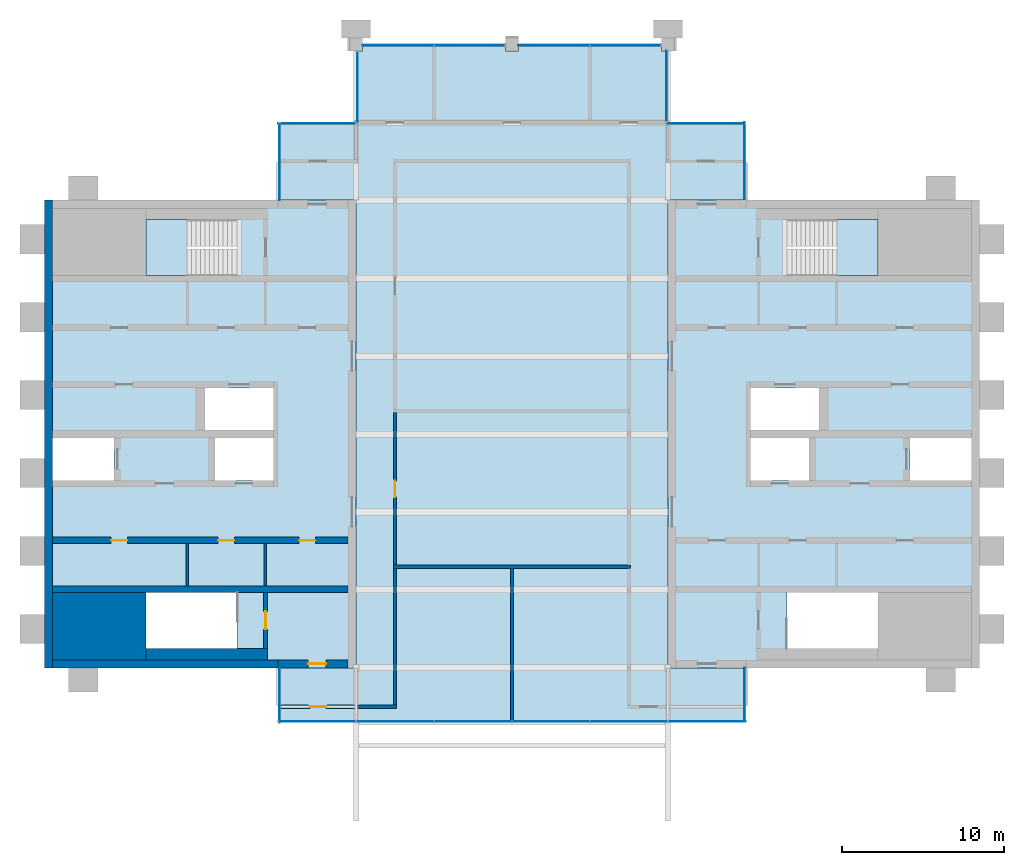
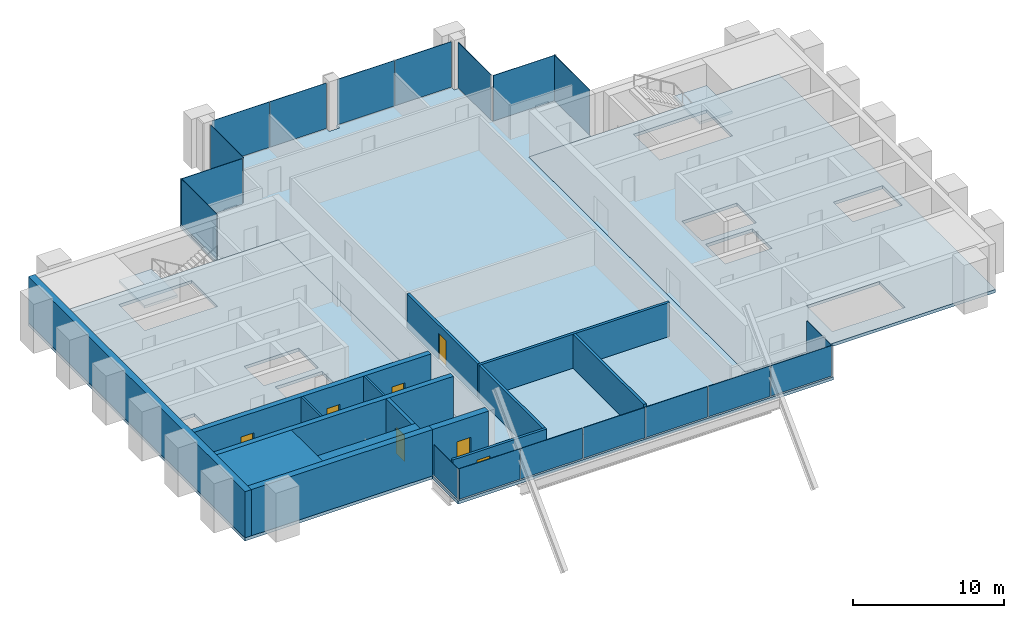
# One storey, part 7 of 11: 18 plates, 15 walls, 7 doors, 5 slabs, 7 openings, 13 elements without a shape of their own.
"""IFC4 building model written with IfcOpenShell, lengths in metres."""

from ifc_helpers import new_model, si_unit, direction, frame, frame_2d, origin, origin_2d, place, context, subcontext, project, spatial, polyline, rectangle, outline, extrude, material, layer, layer_set, type_object, element, fill, aggregate, save


model = new_model("IFC4")

# Units and contexts
model_context = context("Model", 3, precision=1e-05, world=origin(), true_north=direction((0.0, 1.0)))
body_context = subcontext(model_context, "Body", "Model", "MODEL_VIEW")
ifc_project = project(units=[si_unit("LENGTHUNIT", "METRE"), si_unit("AREAUNIT", "SQUARE_METRE"), si_unit("VOLUMEUNIT", "CUBIC_METRE"), si_unit("PLANEANGLEUNIT", "RADIAN"), si_unit("MASSUNIT", "GRAM", prefix="KILO")], contexts=[model_context])

# Site, building, storey
site_placement = place(None, origin())
site = spatial("IfcSite", under=ifc_project, at=site_placement, CompositionType="ELEMENT")
building_placement = place(site_placement, origin())
building = spatial("IfcBuilding", under=site, at=building_placement, Name="Baori Bourse Tower", CompositionType="ELEMENT")
storey_placement = place(building_placement, frame((0.0, 0.0, 366.300048828125)))
storey = spatial("IfcBuildingStorey", under=building, at=storey_placement, Name="L82", CompositionType="ELEMENT", Elevation=366.300048828125)

# Curtain wall, plate
ifc_material_1 = material(Name="Pale anodised aluminium", Category="aluminium")
curtain_wall_type = type_object("IfcCurtainWallType", Name="CW3 Curtain wall", PredefinedType="NOTDEFINED", material=ifc_material_1)
curtain_wall_1_placement = place(storey_placement, origin())
curtain_wall_1 = element("IfcCurtainWall", 1, at=curtain_wall_1_placement, inside=storey, type_object=curtain_wall_type, Name="Curtain wall CW3 L82 1", PredefinedType="NOTDEFINED")
ifc_material_2 = material(Name="Pale anodised aluminium", Category="aluminium")
ifc_layer_1 = layer(ifc_material_2, 0.0400390625)
ifc_layer_set_1 = layer_set([ifc_layer_1], Name="CW3 Curtain wall panel")
plate_type = type_object("IfcPlateType", Name="CW3 Curtain wall panel", PredefinedType="CURTAIN_PANEL", material=ifc_layer_set_1)
plate_1_placement = place(storey_placement, frame((43.1201171875, 7.93603515625, 0.06005859375), z_axis=(0.0, 0.0, 1.0), x_axis=(0.0, 1.0, 0.0)))
plate_1 = element("IfcPlate", 2, at=plate_1_placement, type_object=plate_type, Name="Curtain wall CW3 louvre panel", PredefinedType="CURTAIN_PANEL", context=body_context, shape_type="SweptSolid", body=[
    extrude(rectangle(XDim=3.327880859375, YDim=0.0400390625, at=origin_2d()), origin(), (0.0, 0.0, 1.0), 2.469970703125),
])
aggregate(curtain_wall_1, [plate_1])

curtain_wall_2_placement = place(storey_placement, origin())
curtain_wall_2 = element("IfcCurtainWall", 3, at=curtain_wall_2_placement, inside=storey, type_object=curtain_wall_type, Name="Curtain wall CW3 L82 2", PredefinedType="NOTDEFINED")
plate_2_placement = place(storey_placement, frame((43.1201171875, 40.824951171875, 0.06005859375), z_axis=(0.0, 0.0, 1.0), x_axis=(0.0, 1.0, 0.0)))
plate_2 = element("IfcPlate", 4, at=plate_2_placement, type_object=plate_type, Name="Curtain wall CW3 louvre panel", PredefinedType="CURTAIN_PANEL", context=body_context, shape_type="SweptSolid", body=[
    extrude(rectangle(XDim=4.75, YDim=0.0400390625, at=origin_2d()), origin(), (0.0, 0.0, 1.0), 3.68994140625),
])
aggregate(curtain_wall_2, [plate_2])

curtain_wall_3_placement = place(storey_placement, origin())
curtain_wall_3 = element("IfcCurtainWall", 5, at=curtain_wall_3_placement, inside=storey, type_object=curtain_wall_type, Name="Curtain wall CW3 L82 3", PredefinedType="NOTDEFINED")
plate_3_placement = place(storey_placement, frame((40.77490234375, 43.1201171875, 0.06005859375), z_axis=(0.0, 0.0, 1.0), x_axis=(-1.0, 0.0, 0.0)))
plate_3 = element("IfcPlate", 6, at=plate_3_placement, type_object=plate_type, Name="Curtain wall CW3 louvre panel", PredefinedType="CURTAIN_PANEL", context=body_context, shape_type="SweptSolid", body=[
    extrude(rectangle(XDim=4.75, YDim=0.0400390625, at=origin_2d()), origin(), (0.0, 0.0, 1.0), 3.68994140625),
])
aggregate(curtain_wall_3, [plate_3])

curtain_wall_4_placement = place(storey_placement, origin())
curtain_wall_4 = element("IfcCurtainWall", 7, at=curtain_wall_4_placement, inside=storey, type_object=curtain_wall_type, Name="Curtain wall CW3 L82 4", PredefinedType="NOTDEFINED")
plate_4_placement = place(storey_placement, frame((38.320068359375, 45.425048828125, 0.06005859375), z_axis=(0.0, 0.0, 1.0), x_axis=(0.0, 1.0, 0.0)))
plate_4 = element("IfcPlate", 8, at=plate_4_placement, type_object=plate_type, Name="Curtain wall CW3 louvre panel", PredefinedType="CURTAIN_PANEL", context=body_context, shape_type="SweptSolid", body=[
    extrude(rectangle(XDim=4.35009765625, YDim=0.0400390625, at=origin_2d()), origin(), (0.0, 0.0, 1.0), 3.68994140625),
])
aggregate(curtain_wall_4, [plate_4])

# Curtain wall, plates
curtain_wall_5_placement = place(storey_placement, origin())
curtain_wall_5 = element("IfcCurtainWall", 9, at=curtain_wall_5_placement, inside=storey, type_object=curtain_wall_type, Name="Curtain wall CW3 L82 5", PredefinedType="NOTDEFINED")
plate_5_placement = place(storey_placement, frame((35.78759765625, 47.919921875, 0.06005859375), z_axis=(0.0, 0.0, 1.0), x_axis=(-1.0, 0.0, 0.0)))
plate_5 = element("IfcPlate", 10, at=plate_5_placement, type_object=plate_type, Name="Curtain wall CW3 louvre panel", PredefinedType="CURTAIN_PANEL", context=body_context, shape_type="SweptSolid", body=[
    extrude(rectangle(XDim=4.324951171875, YDim=0.0400390625, at=origin_2d()), origin(), (0.0, 0.0, 1.0), 3.68994140625),
])
plate_6_placement = place(storey_placement, frame((31.387451171875, 47.919921875, 0.06005859375), z_axis=(0.0, 0.0, 1.0), x_axis=(-1.0, 0.0, 0.0)))
plate_6 = element("IfcPlate", 11, at=plate_6_placement, type_object=plate_type, Name="Curtain wall CW3 louvre panel", PredefinedType="CURTAIN_PANEL", context=body_context, shape_type="SweptSolid", body=[
    extrude(rectangle(XDim=4.375, YDim=0.0400390625, at=origin_2d()), origin(), (0.0, 0.0, 1.0), 3.68994140625),
])
aggregate(curtain_wall_5, [plate_5, plate_6])

curtain_wall_6_placement = place(storey_placement, origin())
curtain_wall_6 = element("IfcCurtainWall", 12, at=curtain_wall_6_placement, inside=storey, type_object=curtain_wall_type, Name="Curtain wall CW3 L82 6", PredefinedType="NOTDEFINED")
plate_7_placement = place(storey_placement, frame((26.1875, 47.919921875, 0.06005859375), z_axis=(0.0, 0.0, 1.0), x_axis=(-1.0, 0.0, 0.0)))
plate_7 = element("IfcPlate", 13, at=plate_7_placement, type_object=plate_type, Name="Curtain wall CW3 louvre panel", PredefinedType="CURTAIN_PANEL", context=body_context, shape_type="SweptSolid", body=[
    extrude(rectangle(XDim=4.324951171875, YDim=0.0400390625, at=origin_2d()), origin(), (0.0, 0.0, 1.0), 3.68994140625),
])
plate_8_placement = place(storey_placement, frame((21.78759765625, 47.919921875, 0.06005859375), z_axis=(0.0, 0.0, 1.0), x_axis=(-1.0, 0.0, 0.0)))
plate_8 = element("IfcPlate", 14, at=plate_8_placement, type_object=plate_type, Name="Curtain wall CW3 louvre panel", PredefinedType="CURTAIN_PANEL", context=body_context, shape_type="SweptSolid", body=[
    extrude(rectangle(XDim=4.375, YDim=0.0400390625, at=origin_2d()), origin(), (0.0, 0.0, 1.0), 3.68994140625),
])
aggregate(curtain_wall_6, [plate_7, plate_8])

# Curtain wall, plate
curtain_wall_7_placement = place(storey_placement, origin())
curtain_wall_7 = element("IfcCurtainWall", 15, at=curtain_wall_7_placement, inside=storey, type_object=curtain_wall_type, Name="Curtain wall CW3 L82 7", PredefinedType="NOTDEFINED")
plate_9_placement = place(storey_placement, frame((19.280029296875, 45.375, 0.06005859375), z_axis=(0.0, 0.0, 1.0), x_axis=(0.0, -1.0, 0.0)))
plate_9 = element("IfcPlate", 16, at=plate_9_placement, type_object=plate_type, Name="Curtain wall CW3 louvre panel", PredefinedType="CURTAIN_PANEL", context=body_context, shape_type="SweptSolid", body=[
    extrude(rectangle(XDim=4.35009765625, YDim=0.0400390625, at=origin_2d()), origin(), (0.0, 0.0, 1.0), 3.68994140625),
])
aggregate(curtain_wall_7, [plate_9])

curtain_wall_8_placement = place(storey_placement, origin())
curtain_wall_8 = element("IfcCurtainWall", 17, at=curtain_wall_8_placement, inside=storey, type_object=curtain_wall_type, Name="Curtain wall CW3 L82 8", PredefinedType="NOTDEFINED")
plate_10_placement = place(storey_placement, frame((16.77490234375, 43.1201171875, 0.06005859375), z_axis=(0.0, 0.0, 1.0), x_axis=(-1.0, 0.0, 0.0)))
plate_10 = element("IfcPlate", 18, at=plate_10_placement, type_object=plate_type, Name="Curtain wall CW3 louvre panel", PredefinedType="CURTAIN_PANEL", context=body_context, shape_type="SweptSolid", body=[
    extrude(rectangle(XDim=4.75, YDim=0.0400390625, at=origin_2d()), origin(), (0.0, 0.0, 1.0), 3.68994140625),
])
aggregate(curtain_wall_8, [plate_10])

curtain_wall_9_placement = place(storey_placement, origin())
curtain_wall_9 = element("IfcCurtainWall", 19, at=curtain_wall_9_placement, inside=storey, type_object=curtain_wall_type, Name="Curtain wall CW3 L82 9", PredefinedType="NOTDEFINED")
plate_11_placement = place(storey_placement, frame((14.47998046875, 40.77490234375, 0.06005859375), z_axis=(0.0, 0.0, 1.0), x_axis=(0.0, -1.0, 0.0)))
plate_11 = element("IfcPlate", 20, at=plate_11_placement, type_object=plate_type, Name="Curtain wall CW3 louvre panel", PredefinedType="CURTAIN_PANEL", context=body_context, shape_type="SweptSolid", body=[
    extrude(rectangle(XDim=4.75, YDim=0.0400390625, at=origin_2d()), origin(), (0.0, 0.0, 1.0), 3.68994140625),
])
aggregate(curtain_wall_9, [plate_11])

curtain_wall_10_placement = place(storey_placement, origin())
curtain_wall_10 = element("IfcCurtainWall", 21, at=curtain_wall_10_placement, inside=storey, type_object=curtain_wall_type, Name="Curtain wall CW3 L82 10", PredefinedType="NOTDEFINED")
plate_12_placement = place(storey_placement, frame((14.47998046875, 7.88623046875, 0.06005859375), z_axis=(0.0, 0.0, 1.0), x_axis=(0.0, -1.0, 0.0)))
plate_12 = element("IfcPlate", 22, at=plate_12_placement, type_object=plate_type, Name="Curtain wall CW3 louvre panel", PredefinedType="CURTAIN_PANEL", context=body_context, shape_type="SweptSolid", body=[
    extrude(rectangle(XDim=3.327880859375, YDim=0.0400390625, at=origin_2d()), origin(), (0.0, 0.0, 1.0), 2.469970703125),
])
aggregate(curtain_wall_10, [plate_12])

# Curtain wall, plates
curtain_wall_11_placement = place(storey_placement, origin())
curtain_wall_11 = element("IfcCurtainWall", 23, at=curtain_wall_11_placement, inside=storey, type_object=curtain_wall_type, Name="Curtain wall CW3 L82 11", PredefinedType="NOTDEFINED")
plate_13_placement = place(storey_placement, frame((16.8125, 6.30224609375, 0.06005859375), z_axis=(0.0, 0.0, 1.0), x_axis=(1.0, 0.0, 0.0)))
plate_13 = element("IfcPlate", 24, at=plate_13_placement, type_object=plate_type, Name="Curtain wall CW3 louvre panel", PredefinedType="CURTAIN_PANEL", context=body_context, shape_type="SweptSolid", body=[
    extrude(rectangle(XDim=4.72509765625, YDim=0.0400390625, at=origin_2d()), origin(), (0.0, 0.0, 1.0), 2.469970703125),
])
plate_14_placement = place(storey_placement, frame((21.60009765625, 6.30224609375, 0.06005859375), z_axis=(0.0, 0.0, 1.0), x_axis=(1.0, 0.0, 0.0)))
plate_14 = element("IfcPlate", 25, at=plate_14_placement, type_object=plate_type, Name="Curtain wall CW3 louvre panel", PredefinedType="CURTAIN_PANEL", context=body_context, shape_type="SweptSolid", body=[
    extrude(rectangle(XDim=4.75, YDim=0.0400390625, at=origin_2d()), origin(), (0.0, 0.0, 1.0), 2.469970703125),
])
plate_15_placement = place(storey_placement, frame((26.39990234375, 6.30224609375, 0.06005859375), z_axis=(0.0, 0.0, 1.0), x_axis=(1.0, 0.0, 0.0)))
plate_15 = element("IfcPlate", 26, at=plate_15_placement, type_object=plate_type, Name="Curtain wall CW3 louvre panel", PredefinedType="CURTAIN_PANEL", context=body_context, shape_type="SweptSolid", body=[
    extrude(rectangle(XDim=4.75, YDim=0.0400390625, at=origin_2d()), origin(), (0.0, 0.0, 1.0), 2.469970703125),
])
plate_16_placement = place(storey_placement, frame((31.199951171875, 6.30224609375, 0.06005859375), z_axis=(0.0, 0.0, 1.0), x_axis=(1.0, 0.0, 0.0)))
plate_16 = element("IfcPlate", 27, at=plate_16_placement, type_object=plate_type, Name="Curtain wall CW3 louvre panel", PredefinedType="CURTAIN_PANEL", context=body_context, shape_type="SweptSolid", body=[
    extrude(rectangle(XDim=4.75, YDim=0.0400390625, at=origin_2d()), origin(), (0.0, 0.0, 1.0), 2.469970703125),
])
plate_17_placement = place(storey_placement, frame((36.0, 6.30224609375, 0.06005859375), z_axis=(0.0, 0.0, 1.0), x_axis=(1.0, 0.0, 0.0)))
plate_17 = element("IfcPlate", 28, at=plate_17_placement, type_object=plate_type, Name="Curtain wall CW3 louvre panel", PredefinedType="CURTAIN_PANEL", context=body_context, shape_type="SweptSolid", body=[
    extrude(rectangle(XDim=4.75, YDim=0.0400390625, at=origin_2d()), origin(), (0.0, 0.0, 1.0), 2.469970703125),
])
plate_18_placement = place(storey_placement, frame((40.8125, 6.30224609375, 0.06005859375), z_axis=(0.0, 0.0, 1.0), x_axis=(1.0, 0.0, 0.0)))
plate_18 = element("IfcPlate", 29, at=plate_18_placement, type_object=plate_type, Name="Curtain wall CW3 louvre panel", PredefinedType="CURTAIN_PANEL", context=body_context, shape_type="SweptSolid", body=[
    extrude(rectangle(XDim=4.77490234375, YDim=0.0400390625, at=origin_2d()), origin(), (0.0, 0.0, 1.0), 2.469970703125),
])
aggregate(curtain_wall_11, [plate_13, plate_14, plate_15, plate_16, plate_17, plate_18])

# Slabs
ifc_material_3 = material(Name="Concrete f'c 50 MPa", Category="concrete")
ifc_layer_2 = layer(ifc_material_3, 0.25)
ifc_layer_set_2 = layer_set([ifc_layer_2], Name="Core slab 250")
slab_type_1 = type_object("IfcSlabType", Name="Core slab 250", PredefinedType="FLOOR", material=ifc_layer_set_2)
slab_1_placement = place(storey_placement, frame((0.0, 0.0, -0.25)))
element("IfcSlab", 30, at=slab_1_placement, inside=storey, type_object=slab_type_1, Name="Core floor slab W01", PredefinedType="FLOOR", context=body_context, shape_type="SweptSolid", body=[
    extrude(outline(polyline([(0.0, 9.60009765625), (19.199951171875, 9.60009765625), (19.199951171875, 38.39990234375), (0.0, 38.39990234375), (0.0, 9.60009765625)]), holes=[polyline([(10.5, 21.14990234375), (10.5, 23.75), (14.10009765625, 23.75), (14.10009765625, 21.14990234375), (10.5, 21.14990234375)]), polyline([(14.10009765625, 24.25), (9.89990234375, 24.25), (9.89990234375, 26.85009765625), (14.10009765625, 26.85009765625), (14.10009765625, 24.25)]), polyline([(6.25, 14.25), (11.84912109375, 14.25), (11.84912109375, 10.800048828125), (6.25, 10.800048828125), (6.25, 14.25)]), polyline([(11.84912109375, 37.199951171875), (11.84912109375, 33.75), (6.25, 33.75), (6.25, 37.199951171875), (11.84912109375, 37.199951171875)]), polyline([(4.300048828125, 23.75), (4.300048828125, 21.14990234375), (0.5, 21.14990234375), (0.5, 23.75), (4.300048828125, 23.75)])]), origin(), (0.0, 0.0, 1.0), 0.25),
])
slab_2_placement = place(storey_placement, frame((0.0, 0.0, -0.25)))
element("IfcSlab", 31, at=slab_2_placement, inside=storey, type_object=slab_type_1, Name="Core floor slab E01", PredefinedType="FLOOR", context=body_context, shape_type="SweptSolid", body=[
    extrude(outline(polyline([(38.39990234375, 38.39990234375), (38.39990234375, 9.60009765625), (57.60009765625, 9.60009765625), (57.60009765625, 38.39990234375), (38.39990234375, 38.39990234375)]), holes=[polyline([(57.10009765625, 21.14990234375), (53.300048828125, 21.14990234375), (53.300048828125, 23.75), (57.10009765625, 23.75), (57.10009765625, 21.14990234375)]), polyline([(45.750732421875, 14.25), (51.35009765625, 14.25), (51.35009765625, 10.800048828125), (45.750732421875, 10.800048828125), (45.750732421875, 14.25)]), polyline([(51.35009765625, 37.199951171875), (51.35009765625, 33.75), (45.750732421875, 33.75), (45.750732421875, 37.199951171875), (51.35009765625, 37.199951171875)]), polyline([(43.5, 24.25), (43.5, 26.85009765625), (47.699951171875, 26.85009765625), (47.699951171875, 24.25), (43.5, 24.25)]), polyline([(43.5, 23.75), (47.10009765625, 23.75), (47.10009765625, 21.14990234375), (43.5, 21.14990234375), (43.5, 23.75)])]), origin(), (0.0, 0.0, 1.0), 0.25),
])

# Stair, slab
ifc_material_4 = material(Name="Concrete f'c 50 MPa", Category="concrete")
stair_type = type_object("IfcStairType", Name="Core stair", PredefinedType="HALF_TURN_STAIR", material=ifc_material_4)
stair_1_placement = place(storey_placement, origin())
stair_1 = element("IfcStair", 32, at=stair_1_placement, inside=storey, type_object=stair_type, Name="L82 Stair WB", PredefinedType="HALF_TURN_STAIR")
ifc_material_5 = material(Name="Concrete f'c 50 MPa", Category="concrete")
slab_type_2 = type_object("IfcSlabType", Name="Core stair landing", PredefinedType="LANDING", material=ifc_material_5)
slab_3_placement = place(storey_placement, frame((0.0, 0.0, 1.800048828125)))
slab_3 = element("IfcSlab", 33, at=slab_3_placement, type_object=slab_type_2, Name="ST2 landing 1", PredefinedType="LANDING", context=body_context, shape_type="SweptSolid", body=[
    extrude(outline(polyline([(8.77001953125, 37.199951171875), (6.25, 37.199951171875), (6.25, 33.75), (8.77001953125, 33.75), (8.77001953125, 37.199951171875)])), origin(), (0.0, 0.0, 1.0), 0.199951171875),
])
aggregate(stair_1, [slab_3])

stair_2_placement = place(storey_placement, origin())
stair_2 = element("IfcStair", 34, at=stair_2_placement, inside=storey, type_object=stair_type, Name="L82 Stair EB", PredefinedType="HALF_TURN_STAIR")
slab_4_placement = place(storey_placement, frame((0.0, 0.0, 1.800048828125)))
slab_4 = element("IfcSlab", 35, at=slab_4_placement, type_object=slab_type_2, Name="ST4 landing 1", PredefinedType="LANDING", context=body_context, shape_type="SweptSolid", body=[
    extrude(outline(polyline([(48.830078125, 33.75), (51.35009765625, 33.75), (51.35009765625, 37.199951171875), (48.830078125, 37.199951171875), (48.830078125, 33.75)])), origin(), (0.0, 0.0, 1.0), 0.199951171875),
])
aggregate(stair_2, [slab_4])

# Slab
ifc_material_6 = material(Name="Concrete f'c 40 MPa", Category="concrete")
ifc_layer_3 = layer(ifc_material_6, 0.25)
ifc_layer_set_3 = layer_set([ifc_layer_3], Name="Floor slab 250")
slab_type_3 = type_object("IfcSlabType", Name="Floor slab 250", PredefinedType="FLOOR", material=ifc_layer_set_3)
slab_5_placement = place(storey_placement, frame((0.0, 0.0, -0.25)))
element("IfcSlab", 36, at=slab_5_placement, inside=storey, type_object=slab_type_3, Name="Floor slab L82", PredefinedType="FLOOR", context=body_context, shape_type="SweptSolid", body=[
    extrude(outline(polyline([(38.39990234375, 43.199951171875), (43.199951171875, 43.199951171875), (43.199951171875, 38.39990234375), (38.39990234375, 38.39990234375), (38.39990234375, 9.60009765625), (43.199951171875, 9.60009765625), (43.199951171875, 6.22216796875), (14.39990234375, 6.22216796875), (14.39990234375, 9.60009765625), (19.199951171875, 9.60009765625), (19.199951171875, 38.39990234375), (14.39990234375, 38.39990234375), (14.39990234375, 43.199951171875), (19.199951171875, 43.199951171875), (19.199951171875, 47.60009765625), (19.60009765625, 47.60009765625), (19.60009765625, 48.0), (28.39990234375, 48.0), (28.39990234375, 47.60009765625), (29.199951171875, 47.60009765625), (29.199951171875, 48.0), (38.0, 48.0), (38.0, 47.60009765625), (38.39990234375, 47.60009765625), (38.39990234375, 43.199951171875)])), origin(), (0.0, 0.0, 1.0), 0.25),
])

# Walls
ifc_material_7 = material(Name="Concrete f'c 40 MPa", Category="concrete")
wall_type_1 = type_object("IfcWallType", Name="Core corner block f'c 40", PredefinedType="SHEAR", material=ifc_material_7)
wall_1_placement = place(storey_placement, frame((0.5, 12.175048828125, 0.0), z_axis=(0.0, 0.0, 1.0), x_axis=(1.0, 0.0, 0.0)))
element("IfcWall", 37, at=wall_1_placement, inside=storey, type_object=wall_type_1, Name="Core wall W05", PredefinedType="SHEAR", context=body_context, shape_type="SweptSolid", body=[
    extrude(rectangle(XDim=5.75, YDim=4.14990234375, at=frame_2d((2.875, 0.0))), origin(), (0.0, 0.0, 1.0), 3.75),
])
ifc_material_8 = material(Name="Blockwork partition", Category="masonry")
ifc_layer_4 = layer(ifc_material_8, 0.14990234375)
ifc_layer_set_4 = layer_set([ifc_layer_4], Name="Core partition 150")
wall_type_2 = type_object("IfcWallType", Name="Core partition 150", PredefinedType="PARTITIONING", material=ifc_layer_set_4)
for number, where, z_axis, x_axis, name in (
    (38, (8.800048828125, 14.64990234375, 0.0), (0.0, 0.0, 1.0), (0.0, 1.0, 0.0), "Partition wall W09"),
    (39, (13.60009765625, 14.64990234375, 0.0), (0.0, 0.0, 1.0), (0.0, 1.0, 0.0), "Partition wall W10"),
):
    element("IfcWall", number, at=place(storey_placement, frame(where, z_axis=z_axis, x_axis=x_axis)), inside=storey, type_object=wall_type_2, Name=name, PredefinedType="PARTITIONING", context=body_context, shape_type="SweptSolid", body=[
        extrude(rectangle(XDim=2.60009765625, YDim=0.14990234375, at=frame_2d((1.300048828125, 0.0))), origin(), (0.0, 0.0, 1.0), 3.75),
    ])
ifc_material_9 = material(Name="Concrete f'c 40 MPa", Category="concrete")
ifc_layer_5 = layer(ifc_material_9, 0.5)
ifc_layer_set_5 = layer_set([ifc_layer_5], Name="Core wall 500 f'c 40")
wall_type_3 = type_object("IfcWallType", Name="Core wall 500 f'c 40", PredefinedType="SHEAR", material=ifc_layer_set_5)
wall_2_placement = place(storey_placement, frame((0.25, 9.60009765625, 0.0), z_axis=(0.0, 0.0, 1.0), x_axis=(0.0, 1.0, 0.0)))
element("IfcWall", 40, at=wall_2_placement, inside=storey, type_object=wall_type_3, Name="Core wall W01", PredefinedType="SHEAR", context=body_context, shape_type="SweptSolid", body=[
    extrude(rectangle(XDim=28.7998046875, YDim=0.5, at=frame_2d((14.39990234375, 0.0))), origin(), (0.0, 0.0, 1.0), 3.75),
])
wall_3_placement = place(storey_placement, frame((14.39990234375, 9.85009765625, 0.0), z_axis=(0.0, 0.0, 1.0), x_axis=(-1.0, 0.0, 0.0)))
element("IfcWall", 41, at=wall_3_placement, inside=storey, type_object=wall_type_3, Name="Core wall W02", PredefinedType="SHEAR", context=body_context, shape_type="SweptSolid", body=[
    extrude(rectangle(XDim=13.89990234375, YDim=0.5, at=frame_2d((6.949951171875, 0.0))), origin(), (0.0, 0.0, 1.0), 3.75),
])

# Wall, opening, door
wall_4_placement = place(storey_placement, frame((18.699951171875, 9.85009765625, 0.0), z_axis=(0.0, 0.0, 1.0), x_axis=(-1.0, 0.0, 0.0)))
wall_4 = element("IfcWall", 42, at=wall_4_placement, inside=storey, type_object=wall_type_3, Name="Core wall W03", PredefinedType="SHEAR", context=body_context, shape_type="SweptSolid", body=[
    extrude(rectangle(XDim=4.300048828125, YDim=0.5, at=frame_2d((2.14990234375, 0.0))), origin(), (0.0, 0.0, 1.0), 3.75),
])
opening_1_placement = place(wall_4_placement, frame((1.35009765625, 0.0, 0.0)))
opening_1 = element("IfcOpeningElement", 43, at=opening_1_placement, cuts=wall_4, Name="Opening L82-D102", PredefinedType="OPENING", context=body_context, shape_type="SweptSolid", body=[
    extrude(rectangle(XDim=1.10009765625, YDim=2.10009765625, at=frame_2d((0.550048828125, 1.050048828125))), frame((0.0, 0.260009765625, 0.0), z_axis=(0.0, -1.0, 0.0), x_axis=(1.0, 0.0, 0.0)), (0.0, 0.0, 1.0), 0.52001953125),
])
ifc_material_10 = material(Name="Painted steel door", Category="steel")
door_type_1 = type_object("IfcDoorType", Name="Stair door 1100", OperationType="SINGLE_SWING_LEFT", PredefinedType="DOOR", material=ifc_material_10)
door_1_placement = place(opening_1_placement, origin())
door_1 = element("IfcDoor", 44, at=door_1_placement, inside=storey, type_object=door_type_1, Name="Stair vestibule door A W L82", OperationType="SINGLE_SWING_LEFT", OverallHeight=2.10009765625, OverallWidth=1.10009765625, PredefinedType="DOOR", context=body_context, shape_type="SweptSolid", body=[
    extrude(rectangle(XDim=1.10009765625, YDim=2.10009765625, at=frame_2d((0.550048828125, 1.050048828125))), frame((0.0, 0.02490234375, 0.0), z_axis=(0.0, -1.0, 0.0), x_axis=(1.0, 0.0, 0.0)), (0.0, 0.0, 1.0), 0.050048828125),
])
fill(opening_1, door_1)

ifc_material_11 = material(Name="Gypsum board partition")
ifc_layer_6 = layer(ifc_material_11, 0.199951171875)
ifc_layer_set_6 = layer_set([ifc_layer_6], Name="Plant room wall 200")
wall_type_4 = type_object("IfcWallType", Name="Plant room wall 200", PredefinedType="PARTITIONING", material=ifc_layer_set_6)
wall_5_placement = place(storey_placement, frame((14.5, 7.199951171875, 0.0), z_axis=(0.0, 0.0, 1.0), x_axis=(1.0, 0.0, 0.0)))
wall_5 = element("IfcWall", 45, at=wall_5_placement, inside=storey, type_object=wall_type_4, Name="Partition", PredefinedType="PARTITIONING", context=body_context, shape_type="SweptSolid", body=[
    extrude(rectangle(XDim=7.199951171875, YDim=0.199951171875, at=frame_2d((3.60009765625, 0.0))), origin(), (0.0, 0.0, 1.0), 2.75927734375),
])
opening_2_placement = place(wall_5_placement, frame((1.85009765625, 0.0, 0.0)))
opening_2 = element("IfcOpeningElement", 46, at=opening_2_placement, cuts=wall_5, Name="Opening L82-D01", PredefinedType="OPENING", context=body_context, shape_type="SweptSolid", body=[
    extrude(rectangle(XDim=1.0, YDim=2.10009765625, at=frame_2d((0.5, 1.050048828125))), frame((0.0, 0.10986328125, 0.0), z_axis=(0.0, -1.0, 0.0), x_axis=(1.0, 0.0, 0.0)), (0.0, 0.0, 1.0), 0.219970703125),
])
ifc_material_12 = material(Name="Timber door leaf", Category="wood")
door_type_2 = type_object("IfcDoorType", Name="Door 1000 x 2100", OperationType="SINGLE_SWING_LEFT", PredefinedType="DOOR", material=ifc_material_12)
door_2_placement = place(opening_2_placement, origin())
door_2 = element("IfcDoor", 47, at=door_2_placement, inside=storey, type_object=door_type_2, Name="Door", OperationType="SINGLE_SWING_RIGHT", OverallHeight=2.10009765625, OverallWidth=1.0, PredefinedType="DOOR", context=body_context, shape_type="SweptSolid", body=[
    extrude(rectangle(XDim=1.0, YDim=2.10009765625, at=frame_2d((0.5, 1.050048828125))), frame((0.0, 0.02490234375, 0.0), z_axis=(0.0, -1.0, 0.0), x_axis=(1.0, 0.0, 0.0)), (0.0, 0.0, 1.0), 0.050048828125),
])
fill(opening_2, door_2)

# Walls
wall_6_placement = place(storey_placement, frame((21.5, 15.822265625, 0.0), z_axis=(0.0, 0.0, 1.0), x_axis=(1.0, 0.0, 0.0)))
element("IfcWall", 48, at=wall_6_placement, inside=storey, type_object=wall_type_4, Name="Partition", PredefinedType="PARTITIONING", context=body_context, shape_type="SweptSolid", body=[
    extrude(rectangle(XDim=14.60009765625, YDim=0.199951171875, at=frame_2d((7.300048828125, 0.0))), origin(), (0.0, 0.0, 1.0), 2.75927734375),
])
wall_7_placement = place(storey_placement, frame((21.60009765625, 7.300048828125, 0.0), z_axis=(0.0, 0.0, 1.0), x_axis=(0.0, 1.0, 0.0)))
element("IfcWall", 49, at=wall_7_placement, inside=storey, type_object=wall_type_4, Name="Partition", PredefinedType="PARTITIONING", context=body_context, shape_type="SweptSolid", body=[
    extrude(rectangle(XDim=8.422119140625, YDim=0.199951171875, at=frame_2d((4.2109375, 0.0))), origin(), (0.0, 0.0, 1.0), 2.75927734375),
])

# Wall, opening, door
wall_8_placement = place(storey_placement, frame((21.60009765625, 15.922119140625, 0.0), z_axis=(0.0, 0.0, 1.0), x_axis=(0.0, 1.0, 0.0)))
wall_8 = element("IfcWall", 50, at=wall_8_placement, inside=storey, type_object=wall_type_4, Name="Partition", PredefinedType="PARTITIONING", context=body_context, shape_type="SweptSolid", body=[
    extrude(rectangle(XDim=9.400146484375, YDim=0.199951171875, at=frame_2d((4.7001953125, 0.0))), origin(), (0.0, 0.0, 1.0), 2.75927734375),
])
opening_3_placement = place(wall_8_placement, frame((4.199951171875, 0.0, 0.0)))
opening_3 = element("IfcOpeningElement", 51, at=opening_3_placement, cuts=wall_8, Name="Opening L82-D08", PredefinedType="OPENING", context=body_context, shape_type="SweptSolid", body=[
    extrude(rectangle(XDim=1.0, YDim=2.10009765625, at=frame_2d((0.5, 1.050048828125))), frame((0.0, 0.10986328125, 0.0), z_axis=(0.0, -1.0, 0.0), x_axis=(1.0, 0.0, 0.0)), (0.0, 0.0, 1.0), 0.219970703125),
])
door_3_placement = place(opening_3_placement, origin())
door_3 = element("IfcDoor", 52, at=door_3_placement, inside=storey, type_object=door_type_2, Name="Door", OperationType="SINGLE_SWING_RIGHT", OverallHeight=2.10009765625, OverallWidth=1.0, PredefinedType="DOOR", context=body_context, shape_type="SweptSolid", body=[
    extrude(rectangle(XDim=1.0, YDim=2.10009765625, at=frame_2d((0.5, 1.050048828125))), frame((0.0, 0.02490234375, 0.0), z_axis=(0.0, -1.0, 0.0), x_axis=(1.0, 0.0, 0.0)), (0.0, 0.0, 1.0), 0.050048828125),
])
fill(opening_3, door_3)

# Wall
wall_9_placement = place(storey_placement, frame((28.800048828125, 6.322265625, 0.0), z_axis=(0.0, 0.0, 1.0), x_axis=(0.0, 1.0, 0.0)))
element("IfcWall", 53, at=wall_9_placement, inside=storey, type_object=wall_type_4, Name="Partition", PredefinedType="PARTITIONING", context=body_context, shape_type="SweptSolid", body=[
    extrude(rectangle(XDim=9.39990234375, YDim=0.199951171875, at=frame_2d((4.699951171875, 0.0))), origin(), (0.0, 0.0, 1.0), 2.75927734375),
])

# Wall, opening, door
ifc_material_13 = material(Name="Concrete f'c 40 MPa", Category="concrete")
ifc_layer_7 = layer(ifc_material_13, 0.25)
ifc_layer_set_7 = layer_set([ifc_layer_7], Name="Shaft wall 250 f'c 40")
wall_type_5 = type_object("IfcWallType", Name="Shaft wall 250 f'c 40", PredefinedType="SHEAR", material=ifc_layer_set_7)
wall_10_placement = place(storey_placement, frame((13.625, 10.800048828125, 0.0), z_axis=(0.0, 0.0, 1.0), x_axis=(0.0, 1.0, 0.0)))
wall_10 = element("IfcWall", 54, at=wall_10_placement, inside=storey, type_object=wall_type_5, Name="Core wall W07", PredefinedType="SHEAR", context=body_context, shape_type="SweptSolid", body=[
    extrude(rectangle(XDim=3.449951171875, YDim=0.25, at=frame_2d((1.72509765625, 0.0))), origin(), (0.0, 0.0, 1.0), 3.75),
])
opening_4_placement = place(wall_10_placement, frame((1.175048828125, 0.0, 0.0)))
opening_4 = element("IfcOpeningElement", 55, at=opening_4_placement, cuts=wall_10, Name="Opening L82-D101", PredefinedType="OPENING", context=body_context, shape_type="SweptSolid", body=[
    extrude(rectangle(XDim=1.10009765625, YDim=2.10009765625, at=frame_2d((0.550048828125, 1.050048828125))), frame((0.0, 0.135009765625, 0.0), z_axis=(0.0, -1.0, 0.0), x_axis=(1.0, 0.0, 0.0)), (0.0, 0.0, 1.0), 0.27001953125),
])
door_4_placement = place(opening_4_placement, origin())
door_4 = element("IfcDoor", 56, at=door_4_placement, inside=storey, type_object=door_type_1, Name="Stair door A W L82", OperationType="SINGLE_SWING_LEFT", OverallHeight=2.10009765625, OverallWidth=1.10009765625, PredefinedType="DOOR", context=body_context, shape_type="SweptSolid", body=[
    extrude(rectangle(XDim=1.10009765625, YDim=2.10009765625, at=frame_2d((0.550048828125, 1.050048828125))), frame((0.0, 0.02490234375, 0.0), z_axis=(0.0, -1.0, 0.0), x_axis=(1.0, 0.0, 0.0)), (0.0, 0.0, 1.0), 0.050048828125),
])
fill(opening_4, door_4)

# Wall
ifc_material_14 = material(Name="Concrete f'c 40 MPa", Category="concrete")
ifc_layer_8 = layer(ifc_material_14, 0.39990234375)
ifc_layer_set_8 = layer_set([ifc_layer_8], Name="Shaft wall 400 f'c 40")
wall_type_6 = type_object("IfcWallType", Name="Shaft wall 400 f'c 40", PredefinedType="SHEAR", material=ifc_layer_set_8)
wall_11_placement = place(storey_placement, frame((0.5, 14.449951171875, 0.0), z_axis=(0.0, 0.0, 1.0), x_axis=(1.0, 0.0, 0.0)))
element("IfcWall", 57, at=wall_11_placement, inside=storey, type_object=wall_type_6, Name="Core wall W08", PredefinedType="SHEAR", context=body_context, shape_type="SweptSolid", body=[
    extrude(rectangle(XDim=18.199951171875, YDim=0.39990234375, at=frame_2d((9.10009765625, 0.0))), origin(), (0.0, 0.0, 1.0), 3.75),
])

# Wall, openings, doors
wall_12_placement = place(storey_placement, frame((0.5, 17.449951171875, 0.0), z_axis=(0.0, 0.0, 1.0), x_axis=(1.0, 0.0, 0.0)))
wall_12 = element("IfcWall", 58, at=wall_12_placement, inside=storey, type_object=wall_type_6, Name="Core wall W11", PredefinedType="SHEAR", context=body_context, shape_type="SweptSolid", body=[
    extrude(rectangle(XDim=18.199951171875, YDim=0.39990234375, at=frame_2d((9.10009765625, 0.0))), origin(), (0.0, 0.0, 1.0), 3.75),
])
opening_5_placement = place(wall_12_placement, frame((3.612548828125, 0.0, 0.0)))
opening_5 = element("IfcOpeningElement", 59, at=opening_5_placement, cuts=wall_12, Name="Opening L82-D112", PredefinedType="OPENING", context=body_context, shape_type="SweptSolid", body=[
    extrude(rectangle(XDim=1.0, YDim=2.10009765625, at=frame_2d((0.5, 1.050048828125))), frame((0.0, 0.2099609375, 0.0), z_axis=(0.0, -1.0, 0.0), x_axis=(1.0, 0.0, 0.0)), (0.0, 0.0, 1.0), 0.419921875),
])
opening_6_placement = place(wall_12_placement, frame((10.199951171875, 0.0, 0.0)))
opening_6 = element("IfcOpeningElement", 60, at=opening_6_placement, cuts=wall_12, Name="Opening L82-D113", PredefinedType="OPENING", context=body_context, shape_type="SweptSolid", body=[
    extrude(rectangle(XDim=1.0, YDim=2.10009765625, at=frame_2d((0.5, 1.050048828125))), frame((0.0, 0.2099609375, 0.0), z_axis=(0.0, -1.0, 0.0), x_axis=(1.0, 0.0, 0.0)), (0.0, 0.0, 1.0), 0.419921875),
])
opening_7_placement = place(wall_12_placement, frame((15.1875, 0.0, 0.0)))
opening_7 = element("IfcOpeningElement", 61, at=opening_7_placement, cuts=wall_12, Name="Opening L82-D114", PredefinedType="OPENING", context=body_context, shape_type="SweptSolid", body=[
    extrude(rectangle(XDim=1.0, YDim=2.10009765625, at=frame_2d((0.5, 1.050048828125))), frame((0.0, 0.2099609375, 0.0), z_axis=(0.0, -1.0, 0.0), x_axis=(1.0, 0.0, 0.0)), (0.0, 0.0, 1.0), 0.419921875),
])
ifc_material_15 = material(Name="Painted steel door", Category="steel")
door_type_3 = type_object("IfcDoorType", Name="Plant room door 1000", OperationType="SINGLE_SWING_LEFT", PredefinedType="DOOR", material=ifc_material_15)
door_5_placement = place(opening_5_placement, origin())
door_5 = element("IfcDoor", 62, at=door_5_placement, inside=storey, type_object=door_type_3, Name="Air Handling Fan Room door W L82", OperationType="SINGLE_SWING_LEFT", OverallHeight=2.10009765625, OverallWidth=1.0, PredefinedType="DOOR", context=body_context, shape_type="SweptSolid", body=[
    extrude(rectangle(XDim=1.0, YDim=2.10009765625, at=frame_2d((0.5, 1.050048828125))), frame((0.0, 0.02490234375, 0.0), z_axis=(0.0, -1.0, 0.0), x_axis=(1.0, 0.0, 0.0)), (0.0, 0.0, 1.0), 0.050048828125),
])
fill(opening_5, door_5)
door_6_placement = place(opening_6_placement, origin())
door_6 = element("IfcDoor", 63, at=door_6_placement, inside=storey, type_object=door_type_3, Name="Electrical Room door W L82", OperationType="SINGLE_SWING_LEFT", OverallHeight=2.10009765625, OverallWidth=1.0, PredefinedType="DOOR", context=body_context, shape_type="SweptSolid", body=[
    extrude(rectangle(XDim=1.0, YDim=2.10009765625, at=frame_2d((0.5, 1.050048828125))), frame((0.0, 0.02490234375, 0.0), z_axis=(0.0, -1.0, 0.0), x_axis=(1.0, 0.0, 0.0)), (0.0, 0.0, 1.0), 0.050048828125),
])
fill(opening_6, door_6)
door_7_placement = place(opening_7_placement, origin())
door_7 = element("IfcDoor", 64, at=door_7_placement, inside=storey, type_object=door_type_3, Name="Mechanical Room door W L82", OperationType="SINGLE_SWING_LEFT", OverallHeight=2.10009765625, OverallWidth=1.0, PredefinedType="DOOR", context=body_context, shape_type="SweptSolid", body=[
    extrude(rectangle(XDim=1.0, YDim=2.10009765625, at=frame_2d((0.5, 1.050048828125))), frame((0.0, 0.02490234375, 0.0), z_axis=(0.0, -1.0, 0.0), x_axis=(1.0, 0.0, 0.0)), (0.0, 0.0, 1.0), 0.050048828125),
])
fill(opening_7, door_7)

# Wall
ifc_material_16 = material(Name="Concrete f'c 40 MPa", Category="concrete")
ifc_layer_9 = layer(ifc_material_16, 0.699951171875)
ifc_layer_set_9 = layer_set([ifc_layer_9], Name="Shaft wall 700 f'c 40")
wall_type_7 = type_object("IfcWallType", Name="Shaft wall 700 f'c 40", PredefinedType="SHEAR", material=ifc_layer_set_9)
wall_13_placement = place(storey_placement, frame((6.25, 10.449951171875, 0.0), z_axis=(0.0, 0.0, 1.0), x_axis=(1.0, 0.0, 0.0)))
element("IfcWall", 65, at=wall_13_placement, inside=storey, type_object=wall_type_7, Name="Core wall W06", PredefinedType="SHEAR", context=body_context, shape_type="SweptSolid", body=[
    extrude(rectangle(XDim=7.5, YDim=0.699951171875, at=frame_2d((3.75, 0.0))), origin(), (0.0, 0.0, 1.0), 3.75),
])

save(model, "model.ifc")
